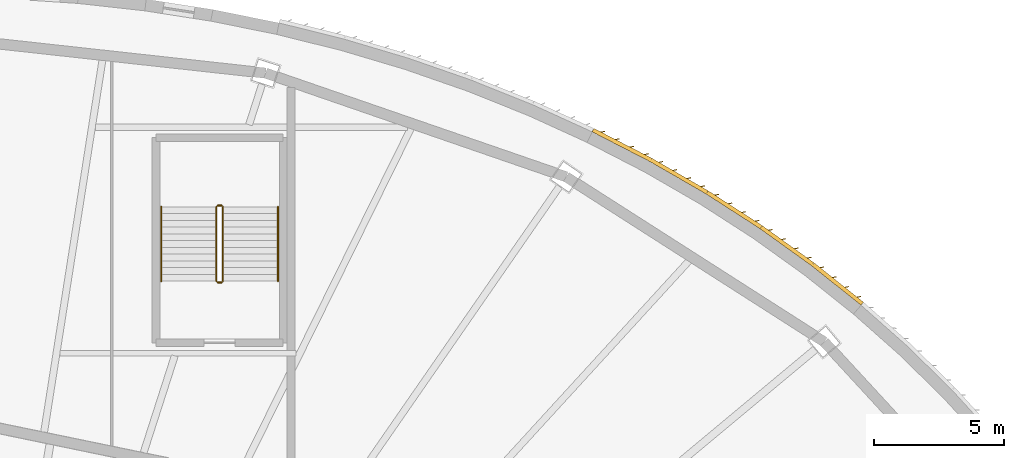
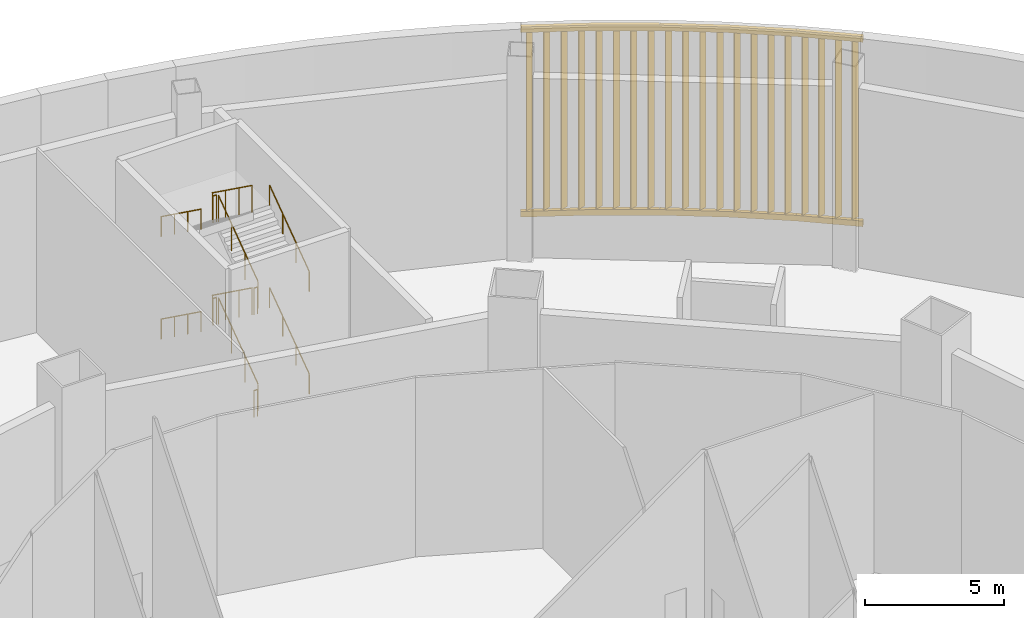
# One storey, part 34 of 35: 12 railings, 1 shading device.
"""IFC4 building model written with IfcOpenShell, lengths in metres."""

from ifc_helpers import new_model, si_unit, direction, frame, origin, origin_2d, place, context, subcontext, project, spatial, rectangle, circle, extrude, material, type_object, element, save


model = new_model("IFC4")

# Units and contexts
model_context = context("Model", 3, precision=1e-05, world=origin(), true_north=direction((0.0, 1.0)))
body_context = subcontext(model_context, "Body", "Model", "MODEL_VIEW")
ifc_project = project(units=[si_unit("LENGTHUNIT", "METRE"), si_unit("AREAUNIT", "SQUARE_METRE"), si_unit("VOLUMEUNIT", "CUBIC_METRE"), si_unit("PLANEANGLEUNIT", "RADIAN"), si_unit("MASSUNIT", "GRAM", prefix="KILO")], contexts=[model_context])

# Site, building, storey
site_placement = place(None, origin())
site = spatial("IfcSite", under=ifc_project, at=site_placement, CompositionType="ELEMENT")
building_placement = place(site_placement, origin())
building = spatial("IfcBuilding", under=site, at=building_placement, Name="Sahrelin Media Tower", CompositionType="ELEMENT")
storey_placement = place(building_placement, frame((0.0, 0.0, 17.0)))
storey = spatial("IfcBuildingStorey", under=building, at=storey_placement, Name="L02", CompositionType="ELEMENT", Elevation=17.0)

# Railings
ifc_material_1 = material(Name="Steel S355", Category="steel")
railing_type_1 = type_object("IfcRailingType", Name="Stair guard 1200", PredefinedType="GUARDRAIL", material=ifc_material_1)
railing_1_placement = place(storey_placement, frame((10.77490234375, 30.625, 0.1875)))
element("IfcRailing", 1, at=railing_1_placement, inside=storey, type_object=railing_type_1, Name="L02 PS1 stair guard 1", PredefinedType="GUARDRAIL", context=body_context, shape_type="SweptSolid", body=[
    extrude(circle(Radius=0.02392578125, at=origin_2d()), frame((0.0, 0.0, 1.17578125), z_axis=(0.0, 0.811100754333, 0.584906459462), x_axis=(-1.0, 0.0, 0.0)), (0.0, 0.0, 1.0), 3.526123046875),
    extrude(circle(Radius=0.02099609375, at=origin_2d()), origin(), (0.0, 0.0, 1.0), 1.15185546875),
    extrude(circle(Radius=0.02099609375, at=origin_2d()), frame((0.0, 0.953369140625, 0.6875)), (0.0, 0.0, 1.0), 1.15185546875),
    extrude(circle(Radius=0.02099609375, at=origin_2d()), frame((0.0, 1.90673828125, 1.375)), (0.0, 0.0, 1.0), 1.15185546875),
    extrude(circle(Radius=0.02099609375, at=origin_2d()), frame((0.0, 2.860107421875, 2.0625)), (0.0, 0.0, 1.0), 1.15185546875),
])
railing_2_placement = place(storey_placement, frame((10.72509765625, 33.534912109375, 2.25)))
element("IfcRailing", 2, at=railing_2_placement, inside=storey, type_object=railing_type_1, Name="L02 PS1 stair guard 2", PredefinedType="GUARDRAIL", context=body_context, shape_type="SweptSolid", body=[
    extrude(circle(Radius=0.02392578125, at=origin_2d()), frame((0.0, 0.0, 1.17578125), z_axis=(-1.0, 0.0, 0.0), x_axis=(0.0, -1.0, 0.0)), (0.0, 0.0, 1.0), 0.150146484375),
    extrude(circle(Radius=0.02099609375, at=origin_2d()), origin(), (0.0, 0.0, 1.0), 1.15185546875),
    extrude(circle(Radius=0.02099609375, at=origin_2d()), frame((-0.150146484375, 0.0, 0.0)), (0.0, 0.0, 1.0), 1.15185546875),
])
railing_3_placement = place(storey_placement, frame((10.52490234375, 33.485107421875, 2.4375)))
element("IfcRailing", 3, at=railing_3_placement, inside=storey, type_object=railing_type_1, Name="L02 PS1 stair guard 3", PredefinedType="GUARDRAIL", context=body_context, shape_type="SweptSolid", body=[
    extrude(circle(Radius=0.02392578125, at=origin_2d()), frame((0.0, 0.0, 1.17578125), z_axis=(0.0, -0.811100754333, 0.584906459462), x_axis=(1.0, 0.0, 0.0)), (0.0, 0.0, 1.0), 3.526123046875),
    extrude(circle(Radius=0.02099609375, at=origin_2d()), origin(), (0.0, 0.0, 1.0), 1.15185546875),
    extrude(circle(Radius=0.02099609375, at=origin_2d()), frame((0.0, -0.953369140625, 0.6875)), (0.0, 0.0, 1.0), 1.15185546875),
    extrude(circle(Radius=0.02099609375, at=origin_2d()), frame((0.0, -1.90673828125, 1.375)), (0.0, 0.0, 1.0), 1.15185546875),
    extrude(circle(Radius=0.02099609375, at=origin_2d()), frame((0.0, -2.860107421875, 2.0625)), (0.0, 0.0, 1.0), 1.15185546875),
])
railing_4_placement = place(storey_placement, frame((10.72509765625, 30.574951171875, 4.5)))
element("IfcRailing", 4, at=railing_4_placement, inside=storey, type_object=railing_type_1, Name="L02 PS1 stair guard 4", PredefinedType="GUARDRAIL", context=body_context, shape_type="SweptSolid", body=[
    extrude(circle(Radius=0.02392578125, at=origin_2d()), frame((0.0, 0.0, 1.17578125), z_axis=(-1.0, 0.0, 0.0), x_axis=(0.0, -1.0, 0.0)), (0.0, 0.0, 1.0), 0.150146484375),
    extrude(circle(Radius=0.02099609375, at=origin_2d()), origin(), (0.0, 0.0, 1.0), 1.15185546875),
    extrude(circle(Radius=0.02099609375, at=origin_2d()), frame((-0.150146484375, 0.0, 0.0)), (0.0, 0.0, 1.0), 1.15185546875),
])
railing_5_placement = place(storey_placement, frame((10.77490234375, 30.625, 4.6875)))
element("IfcRailing", 5, at=railing_5_placement, inside=storey, type_object=railing_type_1, Name="L02 PS1 stair guard 5", PredefinedType="GUARDRAIL", context=body_context, shape_type="SweptSolid", body=[
    extrude(circle(Radius=0.02392578125, at=origin_2d()), frame((0.0, 0.0, 1.17578125), z_axis=(0.0, 0.811100754333, 0.584906459462), x_axis=(-1.0, 0.0, 0.0)), (0.0, 0.0, 1.0), 3.526123046875),
    extrude(circle(Radius=0.02099609375, at=origin_2d()), origin(), (0.0, 0.0, 1.0), 1.15185546875),
    extrude(circle(Radius=0.02099609375, at=origin_2d()), frame((0.0, 0.953369140625, 0.6875)), (0.0, 0.0, 1.0), 1.15185546875),
    extrude(circle(Radius=0.02099609375, at=origin_2d()), frame((0.0, 1.90673828125, 1.375)), (0.0, 0.0, 1.0), 1.15185546875),
    extrude(circle(Radius=0.02099609375, at=origin_2d()), frame((0.0, 2.860107421875, 2.0625)), (0.0, 0.0, 1.0), 1.15185546875),
])
railing_6_placement = place(storey_placement, frame((10.72509765625, 33.534912109375, 6.75)))
element("IfcRailing", 6, at=railing_6_placement, inside=storey, type_object=railing_type_1, Name="L02 PS1 stair guard 6", PredefinedType="GUARDRAIL", context=body_context, shape_type="SweptSolid", body=[
    extrude(circle(Radius=0.02392578125, at=origin_2d()), frame((0.0, 0.0, 1.17578125), z_axis=(-1.0, 0.0, 0.0), x_axis=(0.0, -1.0, 0.0)), (0.0, 0.0, 1.0), 0.150146484375),
    extrude(circle(Radius=0.02099609375, at=origin_2d()), origin(), (0.0, 0.0, 1.0), 1.15185546875),
    extrude(circle(Radius=0.02099609375, at=origin_2d()), frame((-0.150146484375, 0.0, 0.0)), (0.0, 0.0, 1.0), 1.15185546875),
])
railing_7_placement = place(storey_placement, frame((10.52490234375, 33.485107421875, 6.9375)))
element("IfcRailing", 7, at=railing_7_placement, inside=storey, type_object=railing_type_1, Name="L02 PS1 stair guard 7", PredefinedType="GUARDRAIL", context=body_context, shape_type="SweptSolid", body=[
    extrude(circle(Radius=0.02392578125, at=origin_2d()), frame((0.0, 0.0, 1.17578125), z_axis=(0.0, -0.811100754333, 0.584906459462), x_axis=(1.0, 0.0, 0.0)), (0.0, 0.0, 1.0), 3.526123046875),
    extrude(circle(Radius=0.02099609375, at=origin_2d()), origin(), (0.0, 0.0, 1.0), 1.15185546875),
    extrude(circle(Radius=0.02099609375, at=origin_2d()), frame((0.0, -0.953369140625, 0.6875)), (0.0, 0.0, 1.0), 1.15185546875),
    extrude(circle(Radius=0.02099609375, at=origin_2d()), frame((0.0, -1.90673828125, 1.375)), (0.0, 0.0, 1.0), 1.15185546875),
    extrude(circle(Radius=0.02099609375, at=origin_2d()), frame((0.0, -2.860107421875, 2.0625)), (0.0, 0.0, 1.0), 1.15185546875),
])
railing_8_placement = place(storey_placement, frame((10.72509765625, 30.574951171875, 0.0)))
element("IfcRailing", 8, at=railing_8_placement, inside=storey, type_object=railing_type_1, Name="L02 PS1 stair guard 8", PredefinedType="GUARDRAIL", context=body_context, shape_type="SweptSolid", body=[
    extrude(circle(Radius=0.02392578125, at=origin_2d()), frame((0.0, 0.0, 1.17578125), z_axis=(-1.0, 0.0, 0.0), x_axis=(0.0, -1.0, 0.0)), (0.0, 0.0, 1.0), 0.150146484375),
    extrude(circle(Radius=0.02099609375, at=origin_2d()), origin(), (0.0, 0.0, 1.0), 1.15185546875),
    extrude(circle(Radius=0.02099609375, at=origin_2d()), frame((-0.150146484375, 0.0, 0.0)), (0.0, 0.0, 1.0), 1.15185546875),
])
railing_type_2 = type_object("IfcRailingType", Name="Stair handrail 900", PredefinedType="HANDRAIL", material=ifc_material_1)
railing_9_placement = place(storey_placement, frame((12.89990234375, 30.625, 0.1875)))
element("IfcRailing", 9, at=railing_9_placement, inside=storey, type_object=railing_type_2, Name="L02 PS1 stair handrail 1", PredefinedType="HANDRAIL", context=body_context, shape_type="SweptSolid", body=[
    extrude(circle(Radius=0.02392578125, at=origin_2d()), frame((0.0, 0.0, 0.8759765625), z_axis=(0.0, 0.811100754333, 0.584906459462), x_axis=(-1.0, 0.0, 0.0)), (0.0, 0.0, 1.0), 3.526123046875),
    extrude(circle(Radius=0.02099609375, at=origin_2d()), origin(), (0.0, 0.0, 1.0), 0.851806640625),
    extrude(circle(Radius=0.02099609375, at=origin_2d()), frame((0.0, 0.953369140625, 0.6875)), (0.0, 0.0, 1.0), 0.851806640625),
    extrude(circle(Radius=0.02099609375, at=origin_2d()), frame((0.0, 1.90673828125, 1.375)), (0.0, 0.0, 1.0), 0.851806640625),
    extrude(circle(Radius=0.02099609375, at=origin_2d()), frame((0.0, 2.860107421875, 2.0625)), (0.0, 0.0, 1.0), 0.851806640625),
])
railing_10_placement = place(storey_placement, frame((8.39990234375, 33.485107421875, 2.4375)))
element("IfcRailing", 10, at=railing_10_placement, inside=storey, type_object=railing_type_2, Name="L02 PS1 stair handrail 2", PredefinedType="HANDRAIL", context=body_context, shape_type="SweptSolid", body=[
    extrude(circle(Radius=0.02392578125, at=origin_2d()), frame((0.0, 0.0, 0.8759765625), z_axis=(0.0, -0.811100754333, 0.584906459462), x_axis=(1.0, 0.0, 0.0)), (0.0, 0.0, 1.0), 3.526123046875),
    extrude(circle(Radius=0.02099609375, at=origin_2d()), origin(), (0.0, 0.0, 1.0), 0.851806640625),
    extrude(circle(Radius=0.02099609375, at=origin_2d()), frame((0.0, -0.953369140625, 0.6875)), (0.0, 0.0, 1.0), 0.851806640625),
    extrude(circle(Radius=0.02099609375, at=origin_2d()), frame((0.0, -1.90673828125, 1.375)), (0.0, 0.0, 1.0), 0.851806640625),
    extrude(circle(Radius=0.02099609375, at=origin_2d()), frame((0.0, -2.860107421875, 2.0625)), (0.0, 0.0, 1.0), 0.851806640625),
])
railing_11_placement = place(storey_placement, frame((12.89990234375, 30.625, 4.6875)))
element("IfcRailing", 11, at=railing_11_placement, inside=storey, type_object=railing_type_2, Name="L02 PS1 stair handrail 3", PredefinedType="HANDRAIL", context=body_context, shape_type="SweptSolid", body=[
    extrude(circle(Radius=0.02392578125, at=origin_2d()), frame((0.0, 0.0, 0.8759765625), z_axis=(0.0, 0.811100754333, 0.584906459462), x_axis=(-1.0, 0.0, 0.0)), (0.0, 0.0, 1.0), 3.526123046875),
    extrude(circle(Radius=0.02099609375, at=origin_2d()), origin(), (0.0, 0.0, 1.0), 0.851806640625),
    extrude(circle(Radius=0.02099609375, at=origin_2d()), frame((0.0, 0.953369140625, 0.6875)), (0.0, 0.0, 1.0), 0.851806640625),
    extrude(circle(Radius=0.02099609375, at=origin_2d()), frame((0.0, 1.90673828125, 1.375)), (0.0, 0.0, 1.0), 0.851806640625),
    extrude(circle(Radius=0.02099609375, at=origin_2d()), frame((0.0, 2.860107421875, 2.0625)), (0.0, 0.0, 1.0), 0.851806640625),
])
railing_12_placement = place(storey_placement, frame((8.39990234375, 33.485107421875, 6.9375)))
element("IfcRailing", 12, at=railing_12_placement, inside=storey, type_object=railing_type_2, Name="L02 PS1 stair handrail 4", PredefinedType="HANDRAIL", context=body_context, shape_type="SweptSolid", body=[
    extrude(circle(Radius=0.02392578125, at=origin_2d()), frame((0.0, 0.0, 0.8759765625), z_axis=(0.0, -0.811100754333, 0.584906459462), x_axis=(1.0, 0.0, 0.0)), (0.0, 0.0, 1.0), 3.526123046875),
    extrude(circle(Radius=0.02099609375, at=origin_2d()), origin(), (0.0, 0.0, 1.0), 0.851806640625),
    extrude(circle(Radius=0.02099609375, at=origin_2d()), frame((0.0, -0.953369140625, 0.6875)), (0.0, 0.0, 1.0), 0.851806640625),
    extrude(circle(Radius=0.02099609375, at=origin_2d()), frame((0.0, -1.90673828125, 1.375)), (0.0, 0.0, 1.0), 0.851806640625),
    extrude(circle(Radius=0.02099609375, at=origin_2d()), frame((0.0, -2.860107421875, 2.0625)), (0.0, 0.0, 1.0), 0.851806640625),
])

# Shading device
ifc_material_2 = material(Name="Champagne anodised aluminium 6063-T6", Category="aluminium")
shading_device_type = type_object("IfcShadingDeviceType", Name="Studio facade screen", PredefinedType="USERDEFINED", material=ifc_material_2)
shading_device_placement = place(storey_placement, frame((35.355224609375, 29.698486328125, 0.0), z_axis=(0.0, 0.0, 1.0), x_axis=(0.840505257377, -0.541803388991, 0.0)))
element("IfcShadingDevice", 13, at=shading_device_placement, inside=storey, type_object=shading_device_type, Name="L02:SCREEN:L02-P03", ObjectType="SCREEN", PredefinedType="USERDEFINED", context=body_context, shape_type="SweptSolid", body=[
    extrude(rectangle(XDim=0.14990234375, YDim=0.25, at=origin_2d()), frame((0.007568359375, 0.07470703125, 0.35009765625), z_axis=(-0.994963253127, 0.100240335829, 0.0), x_axis=(-0.100240335829, -0.994963253127, 0.0)), (0.0, 0.0, 1.0), 2.42822265625),
    extrude(rectangle(XDim=0.14990234375, YDim=0.25, at=origin_2d()), frame((0.007568359375, 0.07470703125, 8.449951171875), z_axis=(-0.994963253127, 0.100240335829, 0.0), x_axis=(-0.100240335829, -0.994963253127, 0.0)), (0.0, 0.0, 1.0), 2.42822265625),
    extrude(rectangle(XDim=0.300048828125, YDim=0.0400390625, at=origin_2d()), frame((-0.287109375, 0.1796875, 0.47509765625), z_axis=(0.0, 0.0, 1.0), x_axis=(0.707106781187, 0.707106781187, 0.0)), (0.0, 0.0, 1.0), 7.849853515625),
    extrude(rectangle(XDim=0.300048828125, YDim=0.0400390625, at=origin_2d()), frame((-0.89111328125, 0.240478515625, 0.47509765625), z_axis=(0.0, 0.0, 1.0), x_axis=(0.707106781187, 0.707106781187, 0.0)), (0.0, 0.0, 1.0), 7.849853515625),
    extrude(rectangle(XDim=0.300048828125, YDim=0.0400390625, at=origin_2d()), frame((-1.4951171875, 0.301513671875, 0.47509765625), z_axis=(0.0, 0.0, 1.0), x_axis=(0.707106781187, 0.707106781187, 0.0)), (0.0, 0.0, 1.0), 7.849853515625),
    extrude(rectangle(XDim=0.300048828125, YDim=0.0400390625, at=origin_2d()), frame((-2.09912109375, 0.3623046875, 0.47509765625), z_axis=(0.0, 0.0, 1.0), x_axis=(0.707106781187, 0.707106781187, 0.0)), (0.0, 0.0, 1.0), 7.849853515625),
    extrude(rectangle(XDim=0.14990234375, YDim=0.25, at=origin_2d()), frame((-2.412353515625, 0.318359375, 0.35009765625), z_axis=(-0.99876250847, 0.049733808175, 0.0), x_axis=(-0.049733808175, -0.99876250847, 0.0)), (0.0, 0.0, 1.0), 2.449462890625),
    extrude(rectangle(XDim=0.14990234375, YDim=0.25, at=origin_2d()), frame((-2.412353515625, 0.318359375, 8.449951171875), z_axis=(-0.99876250847, 0.049733808175, 0.0), x_axis=(-0.049733808175, -0.99876250847, 0.0)), (0.0, 0.0, 1.0), 2.449462890625),
    extrude(rectangle(XDim=0.300048828125, YDim=0.0400390625, at=origin_2d()), frame((-2.71435546875, 0.40869140625, 0.47509765625), z_axis=(0.0, 0.0, 1.0), x_axis=(0.707106781187, 0.707106781187, 0.0)), (0.0, 0.0, 1.0), 7.849853515625),
    extrude(rectangle(XDim=0.300048828125, YDim=0.0400390625, at=origin_2d()), frame((-3.326171875, 0.43896484375, 0.47509765625), z_axis=(0.0, 0.0, 1.0), x_axis=(0.707106781187, 0.707106781187, 0.0)), (0.0, 0.0, 1.0), 7.849853515625),
    extrude(rectangle(XDim=0.300048828125, YDim=0.0400390625, at=origin_2d()), frame((-3.937744140625, 0.469482421875, 0.47509765625), z_axis=(0.0, 0.0, 1.0), x_axis=(0.707106781187, 0.707106781187, 0.0)), (0.0, 0.0, 1.0), 7.849853515625),
    extrude(rectangle(XDim=0.300048828125, YDim=0.0400390625, at=origin_2d()), frame((-4.54931640625, 0.5, 0.47509765625), z_axis=(0.0, 0.0, 1.0), x_axis=(0.707106781187, 0.707106781187, 0.0)), (0.0, 0.0, 1.0), 7.849853515625),
    extrude(rectangle(XDim=0.14990234375, YDim=0.25, at=origin_2d()), frame((-4.86279296875, 0.4404296875, 0.35009765625), z_axis=(-1.0, 0.0, 0.0), x_axis=(0.0, -1.0, 0.0)), (0.0, 0.0, 1.0), 2.470703125),
    extrude(rectangle(XDim=0.14990234375, YDim=0.25, at=origin_2d()), frame((-4.86279296875, 0.4404296875, 8.449951171875), z_axis=(-1.0, 0.0, 0.0), x_axis=(0.0, -1.0, 0.0)), (0.0, 0.0, 1.0), 2.470703125),
    extrude(rectangle(XDim=0.300048828125, YDim=0.0400390625, at=origin_2d()), frame((-5.171630859375, 0.515380859375, 0.47509765625), z_axis=(0.0, 0.0, 1.0), x_axis=(0.707106781187, 0.707106781187, 0.0)), (0.0, 0.0, 1.0), 7.849853515625),
    extrude(rectangle(XDim=0.300048828125, YDim=0.0400390625, at=origin_2d()), frame((-5.789306640625, 0.515380859375, 0.47509765625), z_axis=(0.0, 0.0, 1.0), x_axis=(0.707106781187, 0.707106781187, 0.0)), (0.0, 0.0, 1.0), 7.849853515625),
    extrude(rectangle(XDim=0.300048828125, YDim=0.0400390625, at=origin_2d()), frame((-6.406982421875, 0.515380859375, 0.47509765625), z_axis=(0.0, 0.0, 1.0), x_axis=(0.707106781187, 0.707106781187, 0.0)), (0.0, 0.0, 1.0), 7.849853515625),
    extrude(rectangle(XDim=0.300048828125, YDim=0.0400390625, at=origin_2d()), frame((-7.024658203125, 0.515380859375, 0.47509765625), z_axis=(0.0, 0.0, 1.0), x_axis=(0.707106781187, 0.707106781187, 0.0)), (0.0, 0.0, 1.0), 7.849853515625),
    extrude(rectangle(XDim=0.14990234375, YDim=0.25, at=origin_2d()), frame((-7.337158203125, 0.440185546875, 0.35009765625), z_axis=(-0.99880815952, -0.048808405793, 0.0), x_axis=(0.048808405793, -0.99880815952, 0.0)), (0.0, 0.0, 1.0), 2.490966796875),
    extrude(rectangle(XDim=0.14990234375, YDim=0.25, at=origin_2d()), frame((-7.337158203125, 0.440185546875, 8.449951171875), z_axis=(-0.99880815952, -0.048808405793, 0.0), x_axis=(0.048808405793, -0.99880815952, 0.0)), (0.0, 0.0, 1.0), 2.490966796875),
    extrude(rectangle(XDim=0.300048828125, YDim=0.0400390625, at=origin_2d()), frame((-7.65185546875, 0.5, 0.47509765625), z_axis=(0.0, 0.0, 1.0), x_axis=(0.707106781187, 0.707106781187, 0.0)), (0.0, 0.0, 1.0), 7.849853515625),
    extrude(rectangle(XDim=0.300048828125, YDim=0.0400390625, at=origin_2d()), frame((-8.273681640625, 0.469482421875, 0.47509765625), z_axis=(0.0, 0.0, 1.0), x_axis=(0.707106781187, 0.707106781187, 0.0)), (0.0, 0.0, 1.0), 7.849853515625),
    extrude(rectangle(XDim=0.300048828125, YDim=0.0400390625, at=origin_2d()), frame((-8.895751953125, 0.439208984375, 0.47509765625), z_axis=(0.0, 0.0, 1.0), x_axis=(0.707106781187, 0.707106781187, 0.0)), (0.0, 0.0, 1.0), 7.849853515625),
    extrude(rectangle(XDim=0.300048828125, YDim=0.0400390625, at=origin_2d()), frame((-9.517822265625, 0.40869140625, 0.47509765625), z_axis=(0.0, 0.0, 1.0), x_axis=(0.707106781187, 0.707106781187, 0.0)), (0.0, 0.0, 1.0), 7.849853515625),
    extrude(rectangle(XDim=0.14990234375, YDim=0.25, at=origin_2d()), frame((-9.828857421875, 0.318115234375, 0.35009765625), z_axis=(-0.995288149156, -0.096961333272, 0.0), x_axis=(0.096961333272, -0.995288149156, 0.0)), (0.0, 0.0, 1.0), 2.51025390625),
    extrude(rectangle(XDim=0.14990234375, YDim=0.25, at=origin_2d()), frame((-9.828857421875, 0.318115234375, 8.449951171875), z_axis=(-0.995288149156, -0.096961333272, 0.0), x_axis=(0.096961333272, -0.995288149156, 0.0)), (0.0, 0.0, 1.0), 2.51025390625),
    extrude(rectangle(XDim=0.300048828125, YDim=0.0400390625, at=origin_2d()), frame((-10.1484375, 0.3623046875, 0.47509765625), z_axis=(0.0, 0.0, 1.0), x_axis=(0.707106781187, 0.707106781187, 0.0)), (0.0, 0.0, 1.0), 7.849853515625),
    extrude(rectangle(XDim=0.300048828125, YDim=0.0400390625, at=origin_2d()), frame((-10.77294921875, 0.301513671875, 0.47509765625), z_axis=(0.0, 0.0, 1.0), x_axis=(0.707106781187, 0.707106781187, 0.0)), (0.0, 0.0, 1.0), 7.849853515625),
    extrude(rectangle(XDim=0.300048828125, YDim=0.0400390625, at=origin_2d()), frame((-11.397705078125, 0.240478515625, 0.47509765625), z_axis=(0.0, 0.0, 1.0), x_axis=(0.707106781187, 0.707106781187, 0.0)), (0.0, 0.0, 1.0), 7.849853515625),
    extrude(rectangle(XDim=0.300048828125, YDim=0.0400390625, at=origin_2d()), frame((-12.022216796875, 0.1796875, 0.47509765625), z_axis=(0.0, 0.0, 1.0), x_axis=(0.707106781187, 0.707106781187, 0.0)), (0.0, 0.0, 1.0), 7.849853515625),
])

save(model, "model.ifc")
